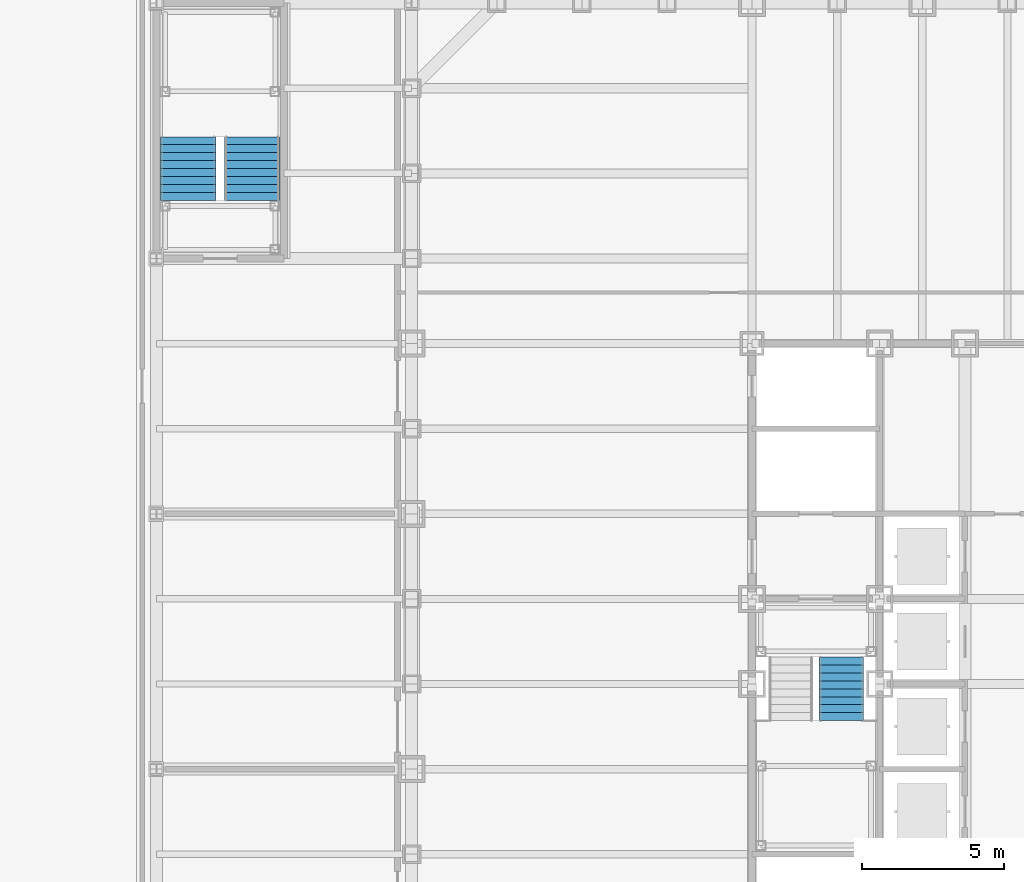
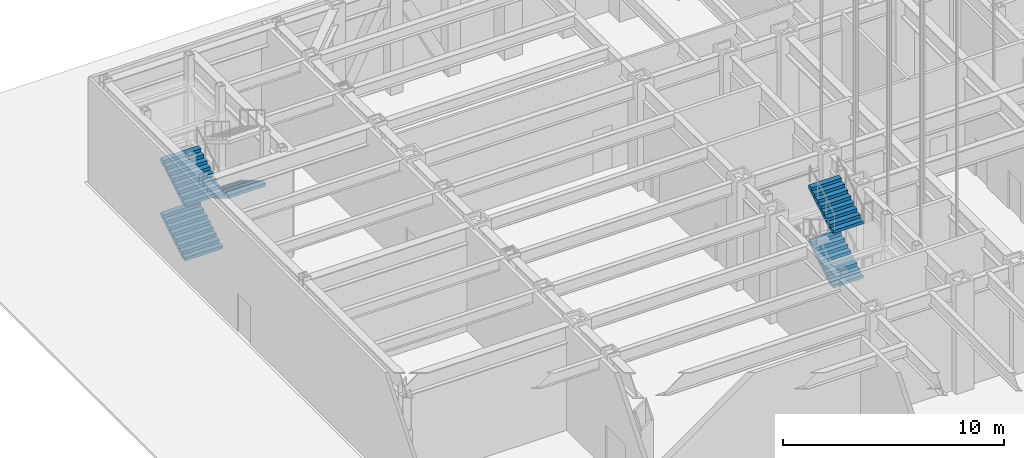
# One storey, part 13 of 35: 5 stair flights, 2 elements without a shape of their own.
"""IFC4 building model written with IfcOpenShell, lengths in metres."""

from ifc_helpers import new_model, si_unit, direction, frame, origin, place, context, subcontext, project, spatial, faceted_brep, material, type_object, element, aggregate, save


model = new_model("IFC4")

# Units and contexts
model_context = context("Model", 3, precision=1e-05, world=origin(), true_north=direction((0.0, 1.0)))
body_context = subcontext(model_context, "Body", "Model", "MODEL_VIEW")
ifc_project = project(units=[si_unit("LENGTHUNIT", "METRE"), si_unit("AREAUNIT", "SQUARE_METRE"), si_unit("VOLUMEUNIT", "CUBIC_METRE"), si_unit("PLANEANGLEUNIT", "RADIAN"), si_unit("MASSUNIT", "GRAM", prefix="KILO")], contexts=[model_context])

# Site, building, storey
site_placement = place(None, origin())
site = spatial("IfcSite", under=ifc_project, at=site_placement, CompositionType="ELEMENT")
building_placement = place(site_placement, origin())
building = spatial("IfcBuilding", under=site, at=building_placement, Name="Chuquiago Exchange Tower", CompositionType="ELEMENT")
storey_placement = place(building_placement, origin())
storey = spatial("IfcBuildingStorey", under=building, at=storey_placement, Name="L00", CompositionType="ELEMENT", Elevation=0.0)

# Stair, stair flights
ifc_material_1 = material(Name="Concrete C30/37, precast", Category="concrete")
stair_type_1 = type_object("IfcStairType", Name="ST1 double half-turn stair 6000", PredefinedType="DOUBLE_RETURN_STAIR", material=ifc_material_1)
stair_1_placement = place(storey_placement, origin())
stair_1 = element("IfcStair", 1, at=stair_1_placement, inside=storey, type_object=stair_type_1, Name="Stair ST1 L00", PredefinedType="DOUBLE_RETURN_STAIR")
ifc_material_2 = material(Name="Concrete C30/37, precast", Category="concrete")
stair_flight_type_1 = type_object("IfcStairFlightType", Name="ST-F flight 1570 for 6000 storey", PredefinedType="STRAIGHT", material=ifc_material_2)
stair_flight_1_placement = place(storey_placement, frame((15.139892578125, 19.7099609375, 1.5), z_axis=(0.0, 0.0, 1.0), x_axis=(0.0, 1.0, 0.0)))
stair_flight_1 = element("IfcStairFlight", 2, at=stair_flight_1_placement, type_object=stair_flight_type_1, Name="ST1 flight 2", NumberOfRisers=9, NumberOfTreads=8, PredefinedType="STRAIGHT", RiserHeight=0.166666667, TreadLength=0.28, context=body_context, shape_type="Brep", body=[
    faceted_brep([(0.0, 0.78515625, 0.0), (0.0, 0.78515625, 0.166748046875), (0.280029296875, 0.78515625, 0.166748046875), (0.280029296875, 0.78515625, 0.333251953125), (0.56005859375, 0.78515625, 0.333251953125), (0.56005859375, 0.78515625, 0.5), (0.840087890625, 0.78515625, 0.5), (0.840087890625, 0.78515625, 0.666748046875), (1.1201171875, 0.78515625, 0.666748046875), (1.1201171875, 0.78515625, 0.833251953125), (1.39990234375, 0.78515625, 0.833251953125), (1.39990234375, 0.78515625, 1.0), (1.679931640625, 0.78515625, 1.0), (1.679931640625, 0.78515625, 1.166748046875), (1.9599609375, 0.78515625, 1.166748046875), (1.9599609375, 0.78515625, 1.333251953125), (2.239990234375, 0.78515625, 1.333251953125), (2.239990234375, 0.78515625, 1.158935546875), (0.29296875, 0.78515625, 0.0), (0.29296875, -0.78515625, 0.0), (2.239990234375, -0.78515625, 1.158935546875), (2.239990234375, -0.78515625, 1.333251953125), (1.9599609375, -0.78515625, 1.333251953125), (1.9599609375, -0.78515625, 1.166748046875), (1.679931640625, -0.78515625, 1.166748046875), (1.679931640625, -0.78515625, 1.0), (1.39990234375, -0.78515625, 1.0), (1.39990234375, -0.78515625, 0.833251953125), (1.1201171875, -0.78515625, 0.833251953125), (1.1201171875, -0.78515625, 0.666748046875), (0.840087890625, -0.78515625, 0.666748046875), (0.840087890625, -0.78515625, 0.5), (0.56005859375, -0.78515625, 0.5), (0.56005859375, -0.78515625, 0.333251953125), (0.280029296875, -0.78515625, 0.333251953125), (0.280029296875, -0.78515625, 0.166748046875), (0.0, -0.78515625, 0.166748046875), (0.0, -0.78515625, 0.0), (0.0, 0.392578125, 0.0), (0.0, 0.392578125, 0.166748046875), (0.0, 0.0, 0.0), (0.0, 0.0, 0.166748046875), (0.0, -0.392578125, 0.0), (0.0, -0.392578125, 0.166748046875), (0.280029296875, 0.392578125, 0.166748046875), (0.280029296875, 0.0, 0.166748046875), (0.280029296875, -0.392578125, 0.166748046875), (0.280029296875, 0.392578125, 0.333251953125), (0.280029296875, 0.0, 0.333251953125), (0.280029296875, -0.392578125, 0.333251953125), (0.56005859375, 0.392578125, 0.333251953125), (0.56005859375, 0.0, 0.333251953125), (0.56005859375, -0.392578125, 0.333251953125), (0.56005859375, 0.392578125, 0.5), (0.56005859375, 0.0, 0.5), (0.56005859375, -0.392578125, 0.5), (0.840087890625, 0.392578125, 0.5), (0.840087890625, 0.0, 0.5), (0.840087890625, -0.392578125, 0.5), (0.840087890625, 0.392578125, 0.666748046875), (0.840087890625, 0.0, 0.666748046875), (0.840087890625, -0.392578125, 0.666748046875), (1.1201171875, 0.392578125, 0.666748046875), (1.1201171875, 0.0, 0.666748046875), (1.1201171875, -0.392578125, 0.666748046875), (1.1201171875, 0.392578125, 0.833251953125), (1.1201171875, 0.0, 0.833251953125), (1.1201171875, -0.392578125, 0.833251953125), (1.39990234375, 0.392578125, 0.833251953125), (1.39990234375, 0.0, 0.833251953125), (1.39990234375, -0.392578125, 0.833251953125), (1.39990234375, 0.392578125, 1.0), (1.39990234375, 0.0, 1.0), (1.39990234375, -0.392578125, 1.0), (1.679931640625, 0.392578125, 1.0), (1.679931640625, 0.0, 1.0), (1.679931640625, -0.392578125, 1.0), (1.679931640625, 0.392578125, 1.166748046875), (1.679931640625, 0.0, 1.166748046875), (1.679931640625, -0.392578125, 1.166748046875), (1.9599609375, 0.392578125, 1.166748046875), (1.9599609375, 0.0, 1.166748046875), (1.9599609375, -0.392578125, 1.166748046875), (1.9599609375, 0.392578125, 1.333251953125), (1.9599609375, 0.0, 1.333251953125), (1.9599609375, -0.392578125, 1.333251953125), (2.239990234375, 0.392578125, 1.333251953125), (2.239990234375, 0.0, 1.333251953125), (2.239990234375, -0.392578125, 1.333251953125), (2.239990234375, 0.392578125, 1.158935546875), (2.239990234375, 0.0, 1.158935546875), (2.239990234375, -0.392578125, 1.158935546875), (0.29296875, 0.392578125, 0.0), (0.29296875, 0.0, 0.0), (0.29296875, -0.392578125, 0.0)], [[[0, 1, 2, 3, 4, 5, 6, 7, 8, 9, 10, 11, 12, 13, 14, 15, 16, 17, 18]], [[19, 20, 21, 22, 23, 24, 25, 26, 27, 28, 29, 30, 31, 32, 33, 34, 35, 36, 37]], [[1, 0, 38, 39]], [[39, 38, 40, 41]], [[41, 40, 42, 43]], [[43, 42, 37, 36]], [[2, 1, 39, 44]], [[44, 39, 41, 45]], [[45, 41, 43, 46]], [[46, 43, 36, 35]], [[3, 2, 44, 47]], [[47, 44, 45, 48]], [[48, 45, 46, 49]], [[49, 46, 35, 34]], [[4, 3, 47, 50]], [[50, 47, 48, 51]], [[51, 48, 49, 52]], [[52, 49, 34, 33]], [[5, 4, 50, 53]], [[53, 50, 51, 54]], [[54, 51, 52, 55]], [[55, 52, 33, 32]], [[6, 5, 53, 56]], [[56, 53, 54, 57]], [[57, 54, 55, 58]], [[58, 55, 32, 31]], [[7, 6, 56, 59]], [[59, 56, 57, 60]], [[60, 57, 58, 61]], [[61, 58, 31, 30]], [[8, 7, 59, 62]], [[62, 59, 60, 63]], [[63, 60, 61, 64]], [[64, 61, 30, 29]], [[9, 8, 62, 65]], [[65, 62, 63, 66]], [[66, 63, 64, 67]], [[67, 64, 29, 28]], [[10, 9, 65, 68]], [[68, 65, 66, 69]], [[69, 66, 67, 70]], [[70, 67, 28, 27]], [[11, 10, 68, 71]], [[71, 68, 69, 72]], [[72, 69, 70, 73]], [[73, 70, 27, 26]], [[12, 11, 71, 74]], [[74, 71, 72, 75]], [[75, 72, 73, 76]], [[76, 73, 26, 25]], [[13, 12, 74, 77]], [[77, 74, 75, 78]], [[78, 75, 76, 79]], [[79, 76, 25, 24]], [[14, 13, 77, 80]], [[80, 77, 78, 81]], [[81, 78, 79, 82]], [[82, 79, 24, 23]], [[15, 14, 80, 83]], [[83, 80, 81, 84]], [[84, 81, 82, 85]], [[85, 82, 23, 22]], [[16, 15, 83, 86]], [[86, 83, 84, 87]], [[87, 84, 85, 88]], [[88, 85, 22, 21]], [[17, 16, 86, 89]], [[89, 86, 87, 90]], [[90, 87, 88, 91]], [[91, 88, 21, 20]], [[18, 17, 89, 92]], [[92, 89, 90, 93]], [[93, 90, 91, 94]], [[94, 91, 20, 19]], [[0, 18, 92, 38]], [[38, 92, 93, 40]], [[40, 93, 94, 42]], [[42, 94, 19, 37]]]),
])
stair_flight_2_placement = place(storey_placement, frame((15.139892578125, 19.7099609375, 4.5), z_axis=(0.0, 0.0, 1.0), x_axis=(0.0, 1.0, 0.0)))
stair_flight_2 = element("IfcStairFlight", 3, at=stair_flight_2_placement, type_object=stair_flight_type_1, Name="ST1 flight 4", NumberOfRisers=9, NumberOfTreads=8, PredefinedType="STRAIGHT", RiserHeight=0.166666667, TreadLength=0.28, context=body_context, shape_type="Brep", body=[
    faceted_brep([(0.0, 0.78515625, 0.0), (0.0, 0.78515625, 0.166748046875), (0.280029296875, 0.78515625, 0.166748046875), (0.280029296875, 0.78515625, 0.333251953125), (0.56005859375, 0.78515625, 0.333251953125), (0.56005859375, 0.78515625, 0.5), (0.840087890625, 0.78515625, 0.5), (0.840087890625, 0.78515625, 0.666748046875), (1.1201171875, 0.78515625, 0.666748046875), (1.1201171875, 0.78515625, 0.833251953125), (1.39990234375, 0.78515625, 0.833251953125), (1.39990234375, 0.78515625, 1.0), (1.679931640625, 0.78515625, 1.0), (1.679931640625, 0.78515625, 1.166748046875), (1.9599609375, 0.78515625, 1.166748046875), (1.9599609375, 0.78515625, 1.333251953125), (2.239990234375, 0.78515625, 1.333251953125), (2.239990234375, 0.78515625, 1.158935546875), (0.29296875, 0.78515625, 0.0), (0.29296875, -0.78515625, 0.0), (2.239990234375, -0.78515625, 1.158935546875), (2.239990234375, -0.78515625, 1.333251953125), (1.9599609375, -0.78515625, 1.333251953125), (1.9599609375, -0.78515625, 1.166748046875), (1.679931640625, -0.78515625, 1.166748046875), (1.679931640625, -0.78515625, 1.0), (1.39990234375, -0.78515625, 1.0), (1.39990234375, -0.78515625, 0.833251953125), (1.1201171875, -0.78515625, 0.833251953125), (1.1201171875, -0.78515625, 0.666748046875), (0.840087890625, -0.78515625, 0.666748046875), (0.840087890625, -0.78515625, 0.5), (0.56005859375, -0.78515625, 0.5), (0.56005859375, -0.78515625, 0.333251953125), (0.280029296875, -0.78515625, 0.333251953125), (0.280029296875, -0.78515625, 0.166748046875), (0.0, -0.78515625, 0.166748046875), (0.0, -0.78515625, 0.0), (0.0, 0.392578125, 0.0), (0.0, 0.392578125, 0.166748046875), (0.0, 0.0, 0.0), (0.0, 0.0, 0.166748046875), (0.0, -0.392578125, 0.0), (0.0, -0.392578125, 0.166748046875), (0.280029296875, 0.392578125, 0.166748046875), (0.280029296875, 0.0, 0.166748046875), (0.280029296875, -0.392578125, 0.166748046875), (0.280029296875, 0.392578125, 0.333251953125), (0.280029296875, 0.0, 0.333251953125), (0.280029296875, -0.392578125, 0.333251953125), (0.56005859375, 0.392578125, 0.333251953125), (0.56005859375, 0.0, 0.333251953125), (0.56005859375, -0.392578125, 0.333251953125), (0.56005859375, 0.392578125, 0.5), (0.56005859375, 0.0, 0.5), (0.56005859375, -0.392578125, 0.5), (0.840087890625, 0.392578125, 0.5), (0.840087890625, 0.0, 0.5), (0.840087890625, -0.392578125, 0.5), (0.840087890625, 0.392578125, 0.666748046875), (0.840087890625, 0.0, 0.666748046875), (0.840087890625, -0.392578125, 0.666748046875), (1.1201171875, 0.392578125, 0.666748046875), (1.1201171875, 0.0, 0.666748046875), (1.1201171875, -0.392578125, 0.666748046875), (1.1201171875, 0.392578125, 0.833251953125), (1.1201171875, 0.0, 0.833251953125), (1.1201171875, -0.392578125, 0.833251953125), (1.39990234375, 0.392578125, 0.833251953125), (1.39990234375, 0.0, 0.833251953125), (1.39990234375, -0.392578125, 0.833251953125), (1.39990234375, 0.392578125, 1.0), (1.39990234375, 0.0, 1.0), (1.39990234375, -0.392578125, 1.0), (1.679931640625, 0.392578125, 1.0), (1.679931640625, 0.0, 1.0), (1.679931640625, -0.392578125, 1.0), (1.679931640625, 0.392578125, 1.166748046875), (1.679931640625, 0.0, 1.166748046875), (1.679931640625, -0.392578125, 1.166748046875), (1.9599609375, 0.392578125, 1.166748046875), (1.9599609375, 0.0, 1.166748046875), (1.9599609375, -0.392578125, 1.166748046875), (1.9599609375, 0.392578125, 1.333251953125), (1.9599609375, 0.0, 1.333251953125), (1.9599609375, -0.392578125, 1.333251953125), (2.239990234375, 0.392578125, 1.333251953125), (2.239990234375, 0.0, 1.333251953125), (2.239990234375, -0.392578125, 1.333251953125), (2.239990234375, 0.392578125, 1.158935546875), (2.239990234375, 0.0, 1.158935546875), (2.239990234375, -0.392578125, 1.158935546875), (0.29296875, 0.392578125, 0.0), (0.29296875, 0.0, 0.0), (0.29296875, -0.392578125, 0.0)], [[[0, 1, 2, 3, 4, 5, 6, 7, 8, 9, 10, 11, 12, 13, 14, 15, 16, 17, 18]], [[19, 20, 21, 22, 23, 24, 25, 26, 27, 28, 29, 30, 31, 32, 33, 34, 35, 36, 37]], [[1, 0, 38, 39]], [[39, 38, 40, 41]], [[41, 40, 42, 43]], [[43, 42, 37, 36]], [[2, 1, 39, 44]], [[44, 39, 41, 45]], [[45, 41, 43, 46]], [[46, 43, 36, 35]], [[3, 2, 44, 47]], [[47, 44, 45, 48]], [[48, 45, 46, 49]], [[49, 46, 35, 34]], [[4, 3, 47, 50]], [[50, 47, 48, 51]], [[51, 48, 49, 52]], [[52, 49, 34, 33]], [[5, 4, 50, 53]], [[53, 50, 51, 54]], [[54, 51, 52, 55]], [[55, 52, 33, 32]], [[6, 5, 53, 56]], [[56, 53, 54, 57]], [[57, 54, 55, 58]], [[58, 55, 32, 31]], [[7, 6, 56, 59]], [[59, 56, 57, 60]], [[60, 57, 58, 61]], [[61, 58, 31, 30]], [[8, 7, 59, 62]], [[62, 59, 60, 63]], [[63, 60, 61, 64]], [[64, 61, 30, 29]], [[9, 8, 62, 65]], [[65, 62, 63, 66]], [[66, 63, 64, 67]], [[67, 64, 29, 28]], [[10, 9, 65, 68]], [[68, 65, 66, 69]], [[69, 66, 67, 70]], [[70, 67, 28, 27]], [[11, 10, 68, 71]], [[71, 68, 69, 72]], [[72, 69, 70, 73]], [[73, 70, 27, 26]], [[12, 11, 71, 74]], [[74, 71, 72, 75]], [[75, 72, 73, 76]], [[76, 73, 26, 25]], [[13, 12, 74, 77]], [[77, 74, 75, 78]], [[78, 75, 76, 79]], [[79, 76, 25, 24]], [[14, 13, 77, 80]], [[80, 77, 78, 81]], [[81, 78, 79, 82]], [[82, 79, 24, 23]], [[15, 14, 80, 83]], [[83, 80, 81, 84]], [[84, 81, 82, 85]], [[85, 82, 23, 22]], [[16, 15, 83, 86]], [[86, 83, 84, 87]], [[87, 84, 85, 88]], [[88, 85, 22, 21]], [[17, 16, 86, 89]], [[89, 86, 87, 90]], [[90, 87, 88, 91]], [[91, 88, 21, 20]], [[18, 17, 89, 92]], [[92, 89, 90, 93]], [[93, 90, 91, 94]], [[94, 91, 20, 19]], [[0, 18, 92, 38]], [[38, 92, 93, 40]], [[40, 93, 94, 42]], [[42, 94, 19, 37]]]),
])
aggregate(stair_1, [stair_flight_1, stair_flight_2])

ifc_material_3 = material(Name="Concrete C30/37, precast", Category="concrete")
stair_type_2 = type_object("IfcStairType", Name="PS3 double half-turn stair 6000", PredefinedType="DOUBLE_RETURN_STAIR", material=ifc_material_3)
stair_2_placement = place(storey_placement, origin())
stair_2 = element("IfcStair", 4, at=stair_2_placement, inside=storey, type_object=stair_type_2, Name="Stair PS3 L00", PredefinedType="DOUBLE_RETURN_STAIR")
ifc_material_4 = material(Name="Concrete C30/37, precast", Category="concrete")
stair_flight_type_2 = type_object("IfcStairFlightType", Name="ST-F flight 1950 for 6000 storey", PredefinedType="STRAIGHT", material=ifc_material_4)
stair_flight_3_placement = place(storey_placement, frame((-7.875, 38.050048828125, 0.0), z_axis=(0.0, 0.0, 1.0), x_axis=(0.0, 1.0, 0.0)))
stair_flight_3 = element("IfcStairFlight", 5, at=stair_flight_3_placement, type_object=stair_flight_type_2, Name="PS3 flight 1", NumberOfRisers=9, NumberOfTreads=8, PredefinedType="STRAIGHT", RiserHeight=0.166666667, TreadLength=0.28, context=body_context, shape_type="Brep", body=[
    faceted_brep([(0.0, 0.97509765625, 0.0), (0.0, 0.97509765625, 0.166748046875), (0.280029296875, 0.97509765625, 0.166748046875), (0.280029296875, 0.97509765625, 0.333251953125), (0.56005859375, 0.97509765625, 0.333251953125), (0.56005859375, 0.97509765625, 0.5), (0.840087890625, 0.97509765625, 0.5), (0.840087890625, 0.97509765625, 0.666748046875), (1.1201171875, 0.97509765625, 0.666748046875), (1.1201171875, 0.97509765625, 0.833251953125), (1.39990234375, 0.97509765625, 0.833251953125), (1.39990234375, 0.97509765625, 1.0), (1.679931640625, 0.97509765625, 1.0), (1.679931640625, 0.97509765625, 1.166748046875), (1.9599609375, 0.97509765625, 1.166748046875), (1.9599609375, 0.97509765625, 1.333251953125), (2.239990234375, 0.97509765625, 1.333251953125), (2.239990234375, 0.97509765625, 1.158935546875), (0.29296875, 0.97509765625, 0.0), (0.29296875, -0.97509765625, 0.0), (2.239990234375, -0.97509765625, 1.158935546875), (2.239990234375, -0.97509765625, 1.333251953125), (1.9599609375, -0.97509765625, 1.333251953125), (1.9599609375, -0.97509765625, 1.166748046875), (1.679931640625, -0.97509765625, 1.166748046875), (1.679931640625, -0.97509765625, 1.0), (1.39990234375, -0.97509765625, 1.0), (1.39990234375, -0.97509765625, 0.833251953125), (1.1201171875, -0.97509765625, 0.833251953125), (1.1201171875, -0.97509765625, 0.666748046875), (0.840087890625, -0.97509765625, 0.666748046875), (0.840087890625, -0.97509765625, 0.5), (0.56005859375, -0.97509765625, 0.5), (0.56005859375, -0.97509765625, 0.333251953125), (0.280029296875, -0.97509765625, 0.333251953125), (0.280029296875, -0.97509765625, 0.166748046875), (0.0, -0.97509765625, 0.166748046875), (0.0, -0.97509765625, 0.0), (0.0, 0.487548828125, 0.0), (0.0, 0.487548828125, 0.166748046875), (0.0, 0.0, 0.0), (0.0, 0.0, 0.166748046875), (0.0, -0.487548828125, 0.0), (0.0, -0.487548828125, 0.166748046875), (0.280029296875, 0.487548828125, 0.166748046875), (0.280029296875, 0.0, 0.166748046875), (0.280029296875, -0.487548828125, 0.166748046875), (0.280029296875, 0.487548828125, 0.333251953125), (0.280029296875, 0.0, 0.333251953125), (0.280029296875, -0.487548828125, 0.333251953125), (0.56005859375, 0.487548828125, 0.333251953125), (0.56005859375, 0.0, 0.333251953125), (0.56005859375, -0.487548828125, 0.333251953125), (0.56005859375, 0.487548828125, 0.5), (0.56005859375, 0.0, 0.5), (0.56005859375, -0.487548828125, 0.5), (0.840087890625, 0.487548828125, 0.5), (0.840087890625, 0.0, 0.5), (0.840087890625, -0.487548828125, 0.5), (0.840087890625, 0.487548828125, 0.666748046875), (0.840087890625, 0.0, 0.666748046875), (0.840087890625, -0.487548828125, 0.666748046875), (1.1201171875, 0.487548828125, 0.666748046875), (1.1201171875, 0.0, 0.666748046875), (1.1201171875, -0.487548828125, 0.666748046875), (1.1201171875, 0.487548828125, 0.833251953125), (1.1201171875, 0.0, 0.833251953125), (1.1201171875, -0.487548828125, 0.833251953125), (1.39990234375, 0.487548828125, 0.833251953125), (1.39990234375, 0.0, 0.833251953125), (1.39990234375, -0.487548828125, 0.833251953125), (1.39990234375, 0.487548828125, 1.0), (1.39990234375, 0.0, 1.0), (1.39990234375, -0.487548828125, 1.0), (1.679931640625, 0.487548828125, 1.0), (1.679931640625, 0.0, 1.0), (1.679931640625, -0.487548828125, 1.0), (1.679931640625, 0.487548828125, 1.166748046875), (1.679931640625, 0.0, 1.166748046875), (1.679931640625, -0.487548828125, 1.166748046875), (1.9599609375, 0.487548828125, 1.166748046875), (1.9599609375, 0.0, 1.166748046875), (1.9599609375, -0.487548828125, 1.166748046875), (1.9599609375, 0.487548828125, 1.333251953125), (1.9599609375, 0.0, 1.333251953125), (1.9599609375, -0.487548828125, 1.333251953125), (2.239990234375, 0.487548828125, 1.333251953125), (2.239990234375, 0.0, 1.333251953125), (2.239990234375, -0.487548828125, 1.333251953125), (2.239990234375, 0.487548828125, 1.158935546875), (2.239990234375, 0.0, 1.158935546875), (2.239990234375, -0.487548828125, 1.158935546875), (0.29296875, 0.487548828125, 0.0), (0.29296875, 0.0, 0.0), (0.29296875, -0.487548828125, 0.0)], [[[0, 1, 2, 3, 4, 5, 6, 7, 8, 9, 10, 11, 12, 13, 14, 15, 16, 17, 18]], [[19, 20, 21, 22, 23, 24, 25, 26, 27, 28, 29, 30, 31, 32, 33, 34, 35, 36, 37]], [[1, 0, 38, 39]], [[39, 38, 40, 41]], [[41, 40, 42, 43]], [[43, 42, 37, 36]], [[2, 1, 39, 44]], [[44, 39, 41, 45]], [[45, 41, 43, 46]], [[46, 43, 36, 35]], [[3, 2, 44, 47]], [[47, 44, 45, 48]], [[48, 45, 46, 49]], [[49, 46, 35, 34]], [[4, 3, 47, 50]], [[50, 47, 48, 51]], [[51, 48, 49, 52]], [[52, 49, 34, 33]], [[5, 4, 50, 53]], [[53, 50, 51, 54]], [[54, 51, 52, 55]], [[55, 52, 33, 32]], [[6, 5, 53, 56]], [[56, 53, 54, 57]], [[57, 54, 55, 58]], [[58, 55, 32, 31]], [[7, 6, 56, 59]], [[59, 56, 57, 60]], [[60, 57, 58, 61]], [[61, 58, 31, 30]], [[8, 7, 59, 62]], [[62, 59, 60, 63]], [[63, 60, 61, 64]], [[64, 61, 30, 29]], [[9, 8, 62, 65]], [[65, 62, 63, 66]], [[66, 63, 64, 67]], [[67, 64, 29, 28]], [[10, 9, 65, 68]], [[68, 65, 66, 69]], [[69, 66, 67, 70]], [[70, 67, 28, 27]], [[11, 10, 68, 71]], [[71, 68, 69, 72]], [[72, 69, 70, 73]], [[73, 70, 27, 26]], [[12, 11, 71, 74]], [[74, 71, 72, 75]], [[75, 72, 73, 76]], [[76, 73, 26, 25]], [[13, 12, 74, 77]], [[77, 74, 75, 78]], [[78, 75, 76, 79]], [[79, 76, 25, 24]], [[14, 13, 77, 80]], [[80, 77, 78, 81]], [[81, 78, 79, 82]], [[82, 79, 24, 23]], [[15, 14, 80, 83]], [[83, 80, 81, 84]], [[84, 81, 82, 85]], [[85, 82, 23, 22]], [[16, 15, 83, 86]], [[86, 83, 84, 87]], [[87, 84, 85, 88]], [[88, 85, 22, 21]], [[17, 16, 86, 89]], [[89, 86, 87, 90]], [[90, 87, 88, 91]], [[91, 88, 21, 20]], [[18, 17, 89, 92]], [[92, 89, 90, 93]], [[93, 90, 91, 94]], [[94, 91, 20, 19]], [[0, 18, 92, 38]], [[38, 92, 93, 40]], [[40, 93, 94, 42]], [[42, 94, 19, 37]]]),
])
stair_flight_4_placement = place(storey_placement, frame((-5.625, 40.2900390625, 1.5), z_axis=(0.0, 0.0, 1.0), x_axis=(0.0, -1.0, 0.0)))
stair_flight_4 = element("IfcStairFlight", 6, at=stair_flight_4_placement, type_object=stair_flight_type_2, Name="PS3 flight 2", NumberOfRisers=9, NumberOfTreads=8, PredefinedType="STRAIGHT", RiserHeight=0.166666667, TreadLength=0.28, context=body_context, shape_type="Brep", body=[
    faceted_brep([(0.0, 0.97509765625, 0.0), (0.0, 0.97509765625, 0.166748046875), (0.280029296875, 0.97509765625, 0.166748046875), (0.280029296875, 0.97509765625, 0.333251953125), (0.56005859375, 0.97509765625, 0.333251953125), (0.56005859375, 0.97509765625, 0.5), (0.840087890625, 0.97509765625, 0.5), (0.840087890625, 0.97509765625, 0.666748046875), (1.1201171875, 0.97509765625, 0.666748046875), (1.1201171875, 0.97509765625, 0.833251953125), (1.39990234375, 0.97509765625, 0.833251953125), (1.39990234375, 0.97509765625, 1.0), (1.679931640625, 0.97509765625, 1.0), (1.679931640625, 0.97509765625, 1.166748046875), (1.9599609375, 0.97509765625, 1.166748046875), (1.9599609375, 0.97509765625, 1.333251953125), (2.239990234375, 0.97509765625, 1.333251953125), (2.239990234375, 0.97509765625, 1.158935546875), (0.29296875, 0.97509765625, 0.0), (0.29296875, -0.97509765625, 0.0), (2.239990234375, -0.97509765625, 1.158935546875), (2.239990234375, -0.97509765625, 1.333251953125), (1.9599609375, -0.97509765625, 1.333251953125), (1.9599609375, -0.97509765625, 1.166748046875), (1.679931640625, -0.97509765625, 1.166748046875), (1.679931640625, -0.97509765625, 1.0), (1.39990234375, -0.97509765625, 1.0), (1.39990234375, -0.97509765625, 0.833251953125), (1.1201171875, -0.97509765625, 0.833251953125), (1.1201171875, -0.97509765625, 0.666748046875), (0.840087890625, -0.97509765625, 0.666748046875), (0.840087890625, -0.97509765625, 0.5), (0.56005859375, -0.97509765625, 0.5), (0.56005859375, -0.97509765625, 0.333251953125), (0.280029296875, -0.97509765625, 0.333251953125), (0.280029296875, -0.97509765625, 0.166748046875), (0.0, -0.97509765625, 0.166748046875), (0.0, -0.97509765625, 0.0), (0.0, 0.487548828125, 0.0), (0.0, 0.487548828125, 0.166748046875), (0.0, 0.0, 0.0), (0.0, 0.0, 0.166748046875), (0.0, -0.487548828125, 0.0), (0.0, -0.487548828125, 0.166748046875), (0.280029296875, 0.487548828125, 0.166748046875), (0.280029296875, 0.0, 0.166748046875), (0.280029296875, -0.487548828125, 0.166748046875), (0.280029296875, 0.487548828125, 0.333251953125), (0.280029296875, 0.0, 0.333251953125), (0.280029296875, -0.487548828125, 0.333251953125), (0.56005859375, 0.487548828125, 0.333251953125), (0.56005859375, 0.0, 0.333251953125), (0.56005859375, -0.487548828125, 0.333251953125), (0.56005859375, 0.487548828125, 0.5), (0.56005859375, 0.0, 0.5), (0.56005859375, -0.487548828125, 0.5), (0.840087890625, 0.487548828125, 0.5), (0.840087890625, 0.0, 0.5), (0.840087890625, -0.487548828125, 0.5), (0.840087890625, 0.487548828125, 0.666748046875), (0.840087890625, 0.0, 0.666748046875), (0.840087890625, -0.487548828125, 0.666748046875), (1.1201171875, 0.487548828125, 0.666748046875), (1.1201171875, 0.0, 0.666748046875), (1.1201171875, -0.487548828125, 0.666748046875), (1.1201171875, 0.487548828125, 0.833251953125), (1.1201171875, 0.0, 0.833251953125), (1.1201171875, -0.487548828125, 0.833251953125), (1.39990234375, 0.487548828125, 0.833251953125), (1.39990234375, 0.0, 0.833251953125), (1.39990234375, -0.487548828125, 0.833251953125), (1.39990234375, 0.487548828125, 1.0), (1.39990234375, 0.0, 1.0), (1.39990234375, -0.487548828125, 1.0), (1.679931640625, 0.487548828125, 1.0), (1.679931640625, 0.0, 1.0), (1.679931640625, -0.487548828125, 1.0), (1.679931640625, 0.487548828125, 1.166748046875), (1.679931640625, 0.0, 1.166748046875), (1.679931640625, -0.487548828125, 1.166748046875), (1.9599609375, 0.487548828125, 1.166748046875), (1.9599609375, 0.0, 1.166748046875), (1.9599609375, -0.487548828125, 1.166748046875), (1.9599609375, 0.487548828125, 1.333251953125), (1.9599609375, 0.0, 1.333251953125), (1.9599609375, -0.487548828125, 1.333251953125), (2.239990234375, 0.487548828125, 1.333251953125), (2.239990234375, 0.0, 1.333251953125), (2.239990234375, -0.487548828125, 1.333251953125), (2.239990234375, 0.487548828125, 1.158935546875), (2.239990234375, 0.0, 1.158935546875), (2.239990234375, -0.487548828125, 1.158935546875), (0.29296875, 0.487548828125, 0.0), (0.29296875, 0.0, 0.0), (0.29296875, -0.487548828125, 0.0)], [[[0, 1, 2, 3, 4, 5, 6, 7, 8, 9, 10, 11, 12, 13, 14, 15, 16, 17, 18]], [[19, 20, 21, 22, 23, 24, 25, 26, 27, 28, 29, 30, 31, 32, 33, 34, 35, 36, 37]], [[1, 0, 38, 39]], [[39, 38, 40, 41]], [[41, 40, 42, 43]], [[43, 42, 37, 36]], [[2, 1, 39, 44]], [[44, 39, 41, 45]], [[45, 41, 43, 46]], [[46, 43, 36, 35]], [[3, 2, 44, 47]], [[47, 44, 45, 48]], [[48, 45, 46, 49]], [[49, 46, 35, 34]], [[4, 3, 47, 50]], [[50, 47, 48, 51]], [[51, 48, 49, 52]], [[52, 49, 34, 33]], [[5, 4, 50, 53]], [[53, 50, 51, 54]], [[54, 51, 52, 55]], [[55, 52, 33, 32]], [[6, 5, 53, 56]], [[56, 53, 54, 57]], [[57, 54, 55, 58]], [[58, 55, 32, 31]], [[7, 6, 56, 59]], [[59, 56, 57, 60]], [[60, 57, 58, 61]], [[61, 58, 31, 30]], [[8, 7, 59, 62]], [[62, 59, 60, 63]], [[63, 60, 61, 64]], [[64, 61, 30, 29]], [[9, 8, 62, 65]], [[65, 62, 63, 66]], [[66, 63, 64, 67]], [[67, 64, 29, 28]], [[10, 9, 65, 68]], [[68, 65, 66, 69]], [[69, 66, 67, 70]], [[70, 67, 28, 27]], [[11, 10, 68, 71]], [[71, 68, 69, 72]], [[72, 69, 70, 73]], [[73, 70, 27, 26]], [[12, 11, 71, 74]], [[74, 71, 72, 75]], [[75, 72, 73, 76]], [[76, 73, 26, 25]], [[13, 12, 74, 77]], [[77, 74, 75, 78]], [[78, 75, 76, 79]], [[79, 76, 25, 24]], [[14, 13, 77, 80]], [[80, 77, 78, 81]], [[81, 78, 79, 82]], [[82, 79, 24, 23]], [[15, 14, 80, 83]], [[83, 80, 81, 84]], [[84, 81, 82, 85]], [[85, 82, 23, 22]], [[16, 15, 83, 86]], [[86, 83, 84, 87]], [[87, 84, 85, 88]], [[88, 85, 22, 21]], [[17, 16, 86, 89]], [[89, 86, 87, 90]], [[90, 87, 88, 91]], [[91, 88, 21, 20]], [[18, 17, 89, 92]], [[92, 89, 90, 93]], [[93, 90, 91, 94]], [[94, 91, 20, 19]], [[0, 18, 92, 38]], [[38, 92, 93, 40]], [[40, 93, 94, 42]], [[42, 94, 19, 37]]]),
])
stair_flight_5_placement = place(storey_placement, frame((-7.875, 38.050048828125, 3.0), z_axis=(0.0, 0.0, 1.0), x_axis=(0.0, 1.0, 0.0)))
stair_flight_5 = element("IfcStairFlight", 7, at=stair_flight_5_placement, type_object=stair_flight_type_2, Name="PS3 flight 3", NumberOfRisers=9, NumberOfTreads=8, PredefinedType="STRAIGHT", RiserHeight=0.166666667, TreadLength=0.28, context=body_context, shape_type="Brep", body=[
    faceted_brep([(0.0, 0.97509765625, 0.0), (0.0, 0.97509765625, 0.166748046875), (0.280029296875, 0.97509765625, 0.166748046875), (0.280029296875, 0.97509765625, 0.333251953125), (0.56005859375, 0.97509765625, 0.333251953125), (0.56005859375, 0.97509765625, 0.5), (0.840087890625, 0.97509765625, 0.5), (0.840087890625, 0.97509765625, 0.666748046875), (1.1201171875, 0.97509765625, 0.666748046875), (1.1201171875, 0.97509765625, 0.833251953125), (1.39990234375, 0.97509765625, 0.833251953125), (1.39990234375, 0.97509765625, 1.0), (1.679931640625, 0.97509765625, 1.0), (1.679931640625, 0.97509765625, 1.166748046875), (1.9599609375, 0.97509765625, 1.166748046875), (1.9599609375, 0.97509765625, 1.333251953125), (2.239990234375, 0.97509765625, 1.333251953125), (2.239990234375, 0.97509765625, 1.158935546875), (0.29296875, 0.97509765625, 0.0), (0.29296875, -0.97509765625, 0.0), (2.239990234375, -0.97509765625, 1.158935546875), (2.239990234375, -0.97509765625, 1.333251953125), (1.9599609375, -0.97509765625, 1.333251953125), (1.9599609375, -0.97509765625, 1.166748046875), (1.679931640625, -0.97509765625, 1.166748046875), (1.679931640625, -0.97509765625, 1.0), (1.39990234375, -0.97509765625, 1.0), (1.39990234375, -0.97509765625, 0.833251953125), (1.1201171875, -0.97509765625, 0.833251953125), (1.1201171875, -0.97509765625, 0.666748046875), (0.840087890625, -0.97509765625, 0.666748046875), (0.840087890625, -0.97509765625, 0.5), (0.56005859375, -0.97509765625, 0.5), (0.56005859375, -0.97509765625, 0.333251953125), (0.280029296875, -0.97509765625, 0.333251953125), (0.280029296875, -0.97509765625, 0.166748046875), (0.0, -0.97509765625, 0.166748046875), (0.0, -0.97509765625, 0.0), (0.0, 0.487548828125, 0.0), (0.0, 0.487548828125, 0.166748046875), (0.0, 0.0, 0.0), (0.0, 0.0, 0.166748046875), (0.0, -0.487548828125, 0.0), (0.0, -0.487548828125, 0.166748046875), (0.280029296875, 0.487548828125, 0.166748046875), (0.280029296875, 0.0, 0.166748046875), (0.280029296875, -0.487548828125, 0.166748046875), (0.280029296875, 0.487548828125, 0.333251953125), (0.280029296875, 0.0, 0.333251953125), (0.280029296875, -0.487548828125, 0.333251953125), (0.56005859375, 0.487548828125, 0.333251953125), (0.56005859375, 0.0, 0.333251953125), (0.56005859375, -0.487548828125, 0.333251953125), (0.56005859375, 0.487548828125, 0.5), (0.56005859375, 0.0, 0.5), (0.56005859375, -0.487548828125, 0.5), (0.840087890625, 0.487548828125, 0.5), (0.840087890625, 0.0, 0.5), (0.840087890625, -0.487548828125, 0.5), (0.840087890625, 0.487548828125, 0.666748046875), (0.840087890625, 0.0, 0.666748046875), (0.840087890625, -0.487548828125, 0.666748046875), (1.1201171875, 0.487548828125, 0.666748046875), (1.1201171875, 0.0, 0.666748046875), (1.1201171875, -0.487548828125, 0.666748046875), (1.1201171875, 0.487548828125, 0.833251953125), (1.1201171875, 0.0, 0.833251953125), (1.1201171875, -0.487548828125, 0.833251953125), (1.39990234375, 0.487548828125, 0.833251953125), (1.39990234375, 0.0, 0.833251953125), (1.39990234375, -0.487548828125, 0.833251953125), (1.39990234375, 0.487548828125, 1.0), (1.39990234375, 0.0, 1.0), (1.39990234375, -0.487548828125, 1.0), (1.679931640625, 0.487548828125, 1.0), (1.679931640625, 0.0, 1.0), (1.679931640625, -0.487548828125, 1.0), (1.679931640625, 0.487548828125, 1.166748046875), (1.679931640625, 0.0, 1.166748046875), (1.679931640625, -0.487548828125, 1.166748046875), (1.9599609375, 0.487548828125, 1.166748046875), (1.9599609375, 0.0, 1.166748046875), (1.9599609375, -0.487548828125, 1.166748046875), (1.9599609375, 0.487548828125, 1.333251953125), (1.9599609375, 0.0, 1.333251953125), (1.9599609375, -0.487548828125, 1.333251953125), (2.239990234375, 0.487548828125, 1.333251953125), (2.239990234375, 0.0, 1.333251953125), (2.239990234375, -0.487548828125, 1.333251953125), (2.239990234375, 0.487548828125, 1.158935546875), (2.239990234375, 0.0, 1.158935546875), (2.239990234375, -0.487548828125, 1.158935546875), (0.29296875, 0.487548828125, 0.0), (0.29296875, 0.0, 0.0), (0.29296875, -0.487548828125, 0.0)], [[[0, 1, 2, 3, 4, 5, 6, 7, 8, 9, 10, 11, 12, 13, 14, 15, 16, 17, 18]], [[19, 20, 21, 22, 23, 24, 25, 26, 27, 28, 29, 30, 31, 32, 33, 34, 35, 36, 37]], [[1, 0, 38, 39]], [[39, 38, 40, 41]], [[41, 40, 42, 43]], [[43, 42, 37, 36]], [[2, 1, 39, 44]], [[44, 39, 41, 45]], [[45, 41, 43, 46]], [[46, 43, 36, 35]], [[3, 2, 44, 47]], [[47, 44, 45, 48]], [[48, 45, 46, 49]], [[49, 46, 35, 34]], [[4, 3, 47, 50]], [[50, 47, 48, 51]], [[51, 48, 49, 52]], [[52, 49, 34, 33]], [[5, 4, 50, 53]], [[53, 50, 51, 54]], [[54, 51, 52, 55]], [[55, 52, 33, 32]], [[6, 5, 53, 56]], [[56, 53, 54, 57]], [[57, 54, 55, 58]], [[58, 55, 32, 31]], [[7, 6, 56, 59]], [[59, 56, 57, 60]], [[60, 57, 58, 61]], [[61, 58, 31, 30]], [[8, 7, 59, 62]], [[62, 59, 60, 63]], [[63, 60, 61, 64]], [[64, 61, 30, 29]], [[9, 8, 62, 65]], [[65, 62, 63, 66]], [[66, 63, 64, 67]], [[67, 64, 29, 28]], [[10, 9, 65, 68]], [[68, 65, 66, 69]], [[69, 66, 67, 70]], [[70, 67, 28, 27]], [[11, 10, 68, 71]], [[71, 68, 69, 72]], [[72, 69, 70, 73]], [[73, 70, 27, 26]], [[12, 11, 71, 74]], [[74, 71, 72, 75]], [[75, 72, 73, 76]], [[76, 73, 26, 25]], [[13, 12, 74, 77]], [[77, 74, 75, 78]], [[78, 75, 76, 79]], [[79, 76, 25, 24]], [[14, 13, 77, 80]], [[80, 77, 78, 81]], [[81, 78, 79, 82]], [[82, 79, 24, 23]], [[15, 14, 80, 83]], [[83, 80, 81, 84]], [[84, 81, 82, 85]], [[85, 82, 23, 22]], [[16, 15, 83, 86]], [[86, 83, 84, 87]], [[87, 84, 85, 88]], [[88, 85, 22, 21]], [[17, 16, 86, 89]], [[89, 86, 87, 90]], [[90, 87, 88, 91]], [[91, 88, 21, 20]], [[18, 17, 89, 92]], [[92, 89, 90, 93]], [[93, 90, 91, 94]], [[94, 91, 20, 19]], [[0, 18, 92, 38]], [[38, 92, 93, 40]], [[40, 93, 94, 42]], [[42, 94, 19, 37]]]),
])
aggregate(stair_2, [stair_flight_3, stair_flight_4, stair_flight_5])

save(model, "model.ifc")
